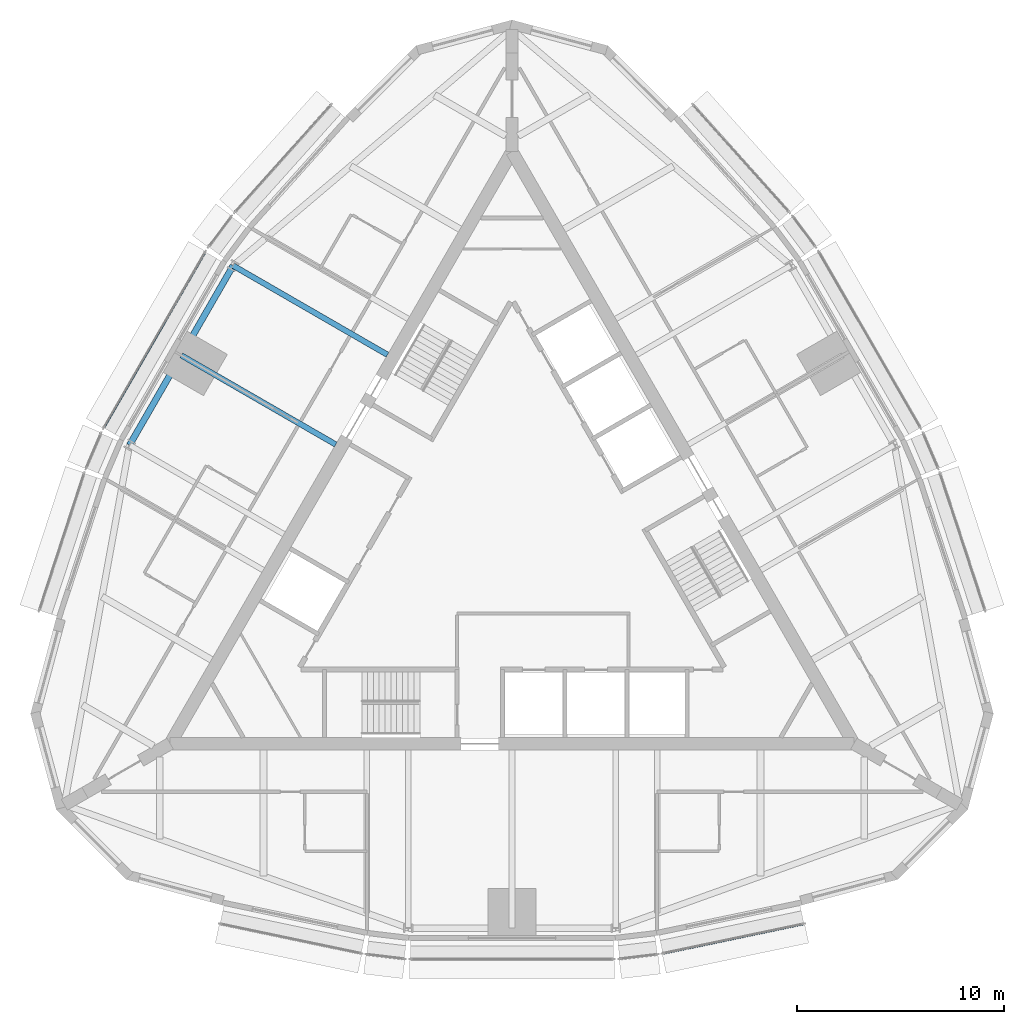
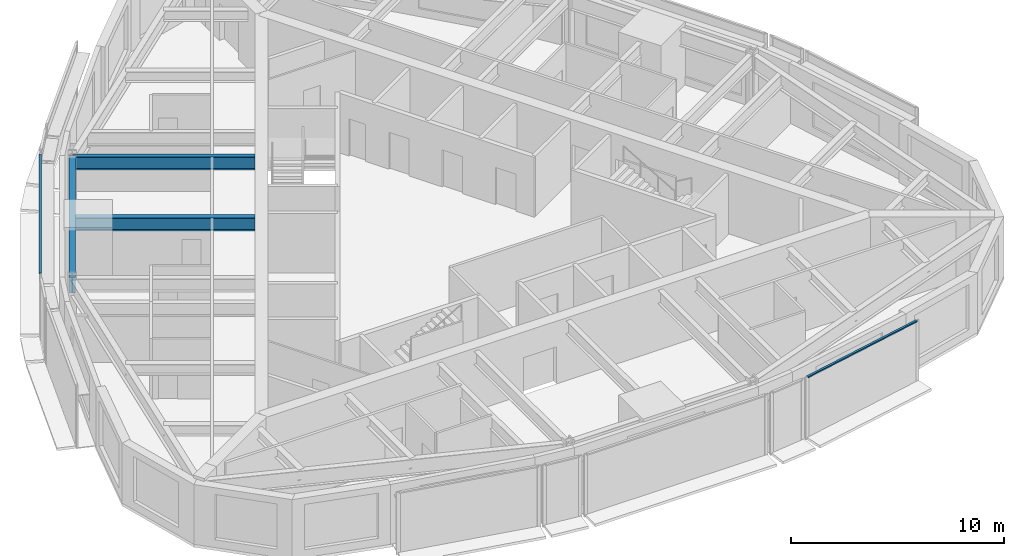
# One storey, part 3 of 12: 3 beams, 2 members, 2 elements without a shape of their own.
"""IFC4 building model written with IfcOpenShell, lengths in metres."""

from ifc_helpers import new_model, si_unit, direction, frame, origin, origin_2d, place, context, subcontext, project, spatial, rectangle, i_section, extrude, material, material_profile, profile_set, type_object, element, aggregate, save


model = new_model("IFC4")

# Units and contexts
model_context = context("Model", 3, precision=1e-05, world=origin(), true_north=direction((0.0, 1.0)))
body_context = subcontext(model_context, "Body", "Model", "MODEL_VIEW")
ifc_project = project(units=[si_unit("LENGTHUNIT", "METRE"), si_unit("AREAUNIT", "SQUARE_METRE"), si_unit("VOLUMEUNIT", "CUBIC_METRE"), si_unit("PLANEANGLEUNIT", "RADIAN"), si_unit("MASSUNIT", "GRAM", prefix="KILO")], contexts=[model_context])

# Site, building, storey
site_placement = place(None, origin())
site = spatial("IfcSite", under=ifc_project, at=site_placement, CompositionType="ELEMENT")
building_placement = place(site_placement, origin())
building = spatial("IfcBuilding", under=site, at=building_placement, Name="Trikona Tower", CompositionType="ELEMENT")
storey_placement = place(building_placement, frame((0.0, 0.0, 257.300048828125)))
storey = spatial("IfcBuildingStorey", under=building, at=storey_placement, Name="L68", CompositionType="ELEMENT", Elevation=257.300048828125)

# Beams
ifc_material_1 = material(Name="Steel ASTM A992 Grade 50", Category="steel")
ifc_material_profile_1 = material_profile(ifc_material_1, i_section(OverallWidth=0.2666015625, OverallDepth=0.7568359375, WebThickness=0.013916015625, FlangeThickness=0.019287109375, at=origin_2d()), Name="W30X108")
ifc_profile_set_1 = profile_set([ifc_material_profile_1], Name="Steel ASTM A992 Grade 50")
beam_type_1 = type_object("IfcBeamType", Name="Steel beam W30x108 (radial upper)", PredefinedType="BEAM", material=ifc_profile_set_1)
beam_1_placement = place(storey_placement, frame((-6.009765625, 9.243408203125, 3.056396484375), z_axis=(-0.866029182723, 0.49999345463, 0.0), x_axis=(-0.49999345463, -0.866029182723, 0.0)))
element("IfcBeam", 1, at=beam_1_placement, inside=storey, type_object=beam_type_1, Name="Floor beam L69 F3 u-5", PredefinedType="BEAM", context=body_context, shape_type="SweptSolid", body=[
    extrude(i_section(OverallWidth=0.2666015625, OverallDepth=0.7568359375, WebThickness=0.013916015625, FlangeThickness=0.019287109375, at=origin_2d()), origin(), (0.0, 0.0, 1.0), 8.60400390625),
])
beam_2_placement = place(storey_placement, frame((-8.509765625, 4.9130859375, 3.056396484375), z_axis=(-0.866016896067, 0.50001473551, 0.0), x_axis=(-0.50001473551, -0.866016896067, 0.0)))
element("IfcBeam", 2, at=beam_2_placement, inside=storey, type_object=beam_type_1, Name="Floor beam L69 F3 u0", PredefinedType="BEAM", context=body_context, shape_type="SweptSolid", body=[
    extrude(i_section(OverallWidth=0.2666015625, OverallDepth=0.7568359375, WebThickness=0.013916015625, FlangeThickness=0.019287109375, at=origin_2d()), origin(), (0.0, 0.0, 1.0), 8.604248046875),
])
ifc_material_2 = material(Name="Steel ASTM A992 Grade 50", Category="steel")
ifc_material_profile_2 = material_profile(ifc_material_2, i_section(OverallWidth=0.3046875, OverallDepth=0.911865234375, WebThickness=0.015869140625, FlangeThickness=0.02392578125, at=origin_2d()), Name="W36X150")
ifc_profile_set_2 = profile_set([ifc_material_profile_2], Name="Steel ASTM A992 Grade 50")
beam_type_2 = type_object("IfcBeamType", Name="Steel beam W36x150 (spandrel upper)", PredefinedType="SPANDREL", material=ifc_profile_set_2)
beam_3_placement = place(storey_placement, frame((-13.461181640625, 13.54541015625, 2.97900390625), z_axis=(-0.499993662806, -0.866029062534, 0.0), x_axis=(0.866029062534, -0.499993662806, 0.0)))
element("IfcBeam", 3, at=beam_3_placement, inside=storey, type_object=beam_type_2, Name="Spandrel beam L69 F3-2", PredefinedType="SPANDREL", context=body_context, shape_type="SweptSolid", body=[
    extrude(i_section(OverallWidth=0.3046875, OverallDepth=0.911865234375, WebThickness=0.015869140625, FlangeThickness=0.02392578125, at=origin_2d()), origin(), (0.0, 0.0, 1.0), 10.000244140625),
])

# Curtain wall, member
ifc_material_3 = material(Name="Aluminium curtain wall system", Category="aluminium")
curtain_wall_type = type_object("IfcCurtainWallType", Name="Curtain wall DS3", PredefinedType="NOTDEFINED", material=ifc_material_3)
curtain_wall_1_placement = place(storey_placement, origin())
curtain_wall_1 = element("IfcCurtainWall", 4, at=curtain_wall_1_placement, inside=storey, type_object=curtain_wall_type, Name="Curtain wall DS3 L68", PredefinedType="NOTDEFINED")
ifc_material_4 = material(Name="Aluminium transom, pale anodised", Category="aluminium")
ifc_material_profile_3 = material_profile(ifc_material_4, rectangle(XDim=0.1201171875, YDim=0.070068359375, at=origin_2d()), Name="TRN-DS3")
ifc_profile_set_3 = profile_set([ifc_material_profile_3], Name="Aluminium transom, pale anodised")
member_type = type_object("IfcMemberType", Name="Transom DS3 70x120", PredefinedType="USERDEFINED", material=ifc_profile_set_3)
member_1_placement = place(storey_placement, frame((7.312255859375, -19.64453125, 3.56494140625), z_axis=(0.978654137783, 0.205514181021, 0.0), x_axis=(-0.205514181021, 0.978654137783, 0.0)))
member_1 = element("IfcMember", 5, at=member_1_placement, type_object=member_type, Name="CW-DS3 transom 1.1", ObjectType="TRANSOM", PredefinedType="USERDEFINED", context=body_context, shape_type="SweptSolid", body=[
    extrude(rectangle(XDim=0.1201171875, YDim=0.070068359375, at=origin_2d()), origin(), (0.0, 0.0, 1.0), 6.892578125),
])
aggregate(curtain_wall_1, [member_1])

curtain_wall_2_placement = place(storey_placement, origin())
curtain_wall_2 = element("IfcCurtainWall", 6, at=curtain_wall_2_placement, inside=storey, type_object=curtain_wall_type, Name="Curtain wall DS3 L68", PredefinedType="NOTDEFINED")
member_2_placement = place(storey_placement, frame((-14.8251953125, 14.182861328125, 3.56494140625), z_axis=(-0.500010305712, -0.866019453697, 0.0), x_axis=(0.866019453697, -0.500010305712, 0.0)))
member_2 = element("IfcMember", 7, at=member_2_placement, type_object=member_type, Name="CW-DS3 transom 1.1", ObjectType="TRANSOM", PredefinedType="USERDEFINED", context=body_context, shape_type="SweptSolid", body=[
    extrude(rectangle(XDim=0.1201171875, YDim=0.070068359375, at=origin_2d()), origin(), (0.0, 0.0, 1.0), 9.739990234375),
])
aggregate(curtain_wall_2, [member_2])

save(model, "model.ifc")
